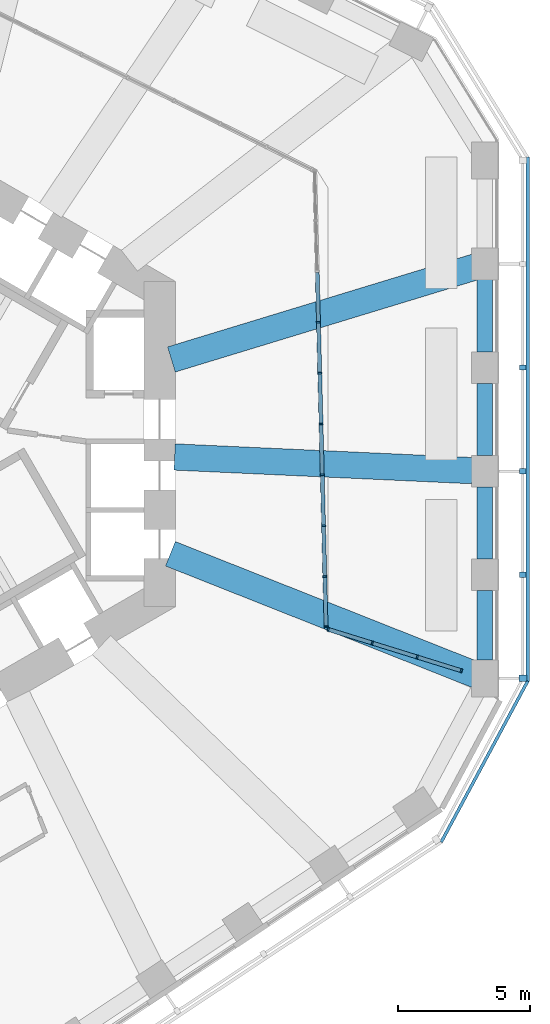
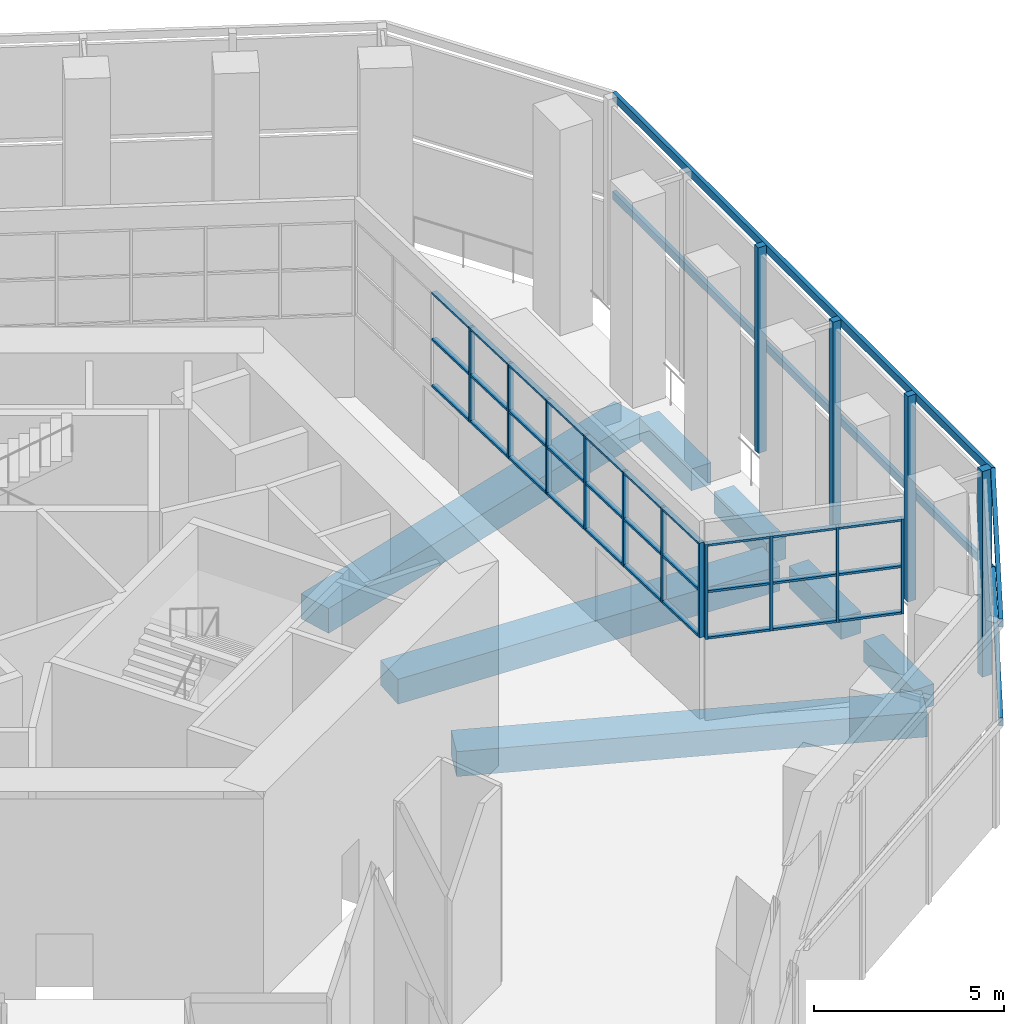
# One storey, part 2 of 17: 49 members, 7 beams, 4 elements without a shape of their own.
"""IFC4 building model written with IfcOpenShell, lengths in metres."""

from ifc_helpers import new_model, si_unit, direction, frame, origin, origin_2d, place, context, subcontext, project, spatial, rectangle, extrude, material, material_profile, profile_set, type_object, element, aggregate, save


model = new_model("IFC4")

# Units and contexts
model_context = context("Model", 3, precision=1e-05, world=origin(), true_north=direction((0.0, 1.0)))
body_context = subcontext(model_context, "Body", "Model", "MODEL_VIEW")
ifc_project = project(units=[si_unit("LENGTHUNIT", "METRE"), si_unit("AREAUNIT", "SQUARE_METRE"), si_unit("VOLUMEUNIT", "CUBIC_METRE"), si_unit("PLANEANGLEUNIT", "RADIAN"), si_unit("MASSUNIT", "GRAM", prefix="KILO")], contexts=[model_context])

# Site, building, storey
site_placement = place(None, origin())
site = spatial("IfcSite", under=ifc_project, at=site_placement, CompositionType="ELEMENT")
building_placement = place(site_placement, origin())
building = spatial("IfcBuilding", under=site, at=building_placement, Name="Vanh Sen Convention Tower", CompositionType="ELEMENT")
storey_placement = place(building_placement, frame((0.0, 0.0, 77.0)))
storey = spatial("IfcBuildingStorey", under=building, at=storey_placement, Name="L17", CompositionType="ELEMENT", Elevation=77.0)

# Curtain wall, members
ifc_material_1 = material(Name="Aluminium structural glazing system", Category="aluminium")
curtain_wall_type_1 = type_object("IfcCurtainWallType", Name="Sky garden structural glazing", PredefinedType="NOTDEFINED", material=ifc_material_1)
curtain_wall_1_placement = place(storey_placement, origin())
curtain_wall_1 = element("IfcCurtainWall", 1, at=curtain_wall_1_placement, inside=storey, type_object=curtain_wall_type_1, Name="Winter garden glazing 4 L17", PredefinedType="NOTDEFINED")
ifc_material_2 = material(Name="Aluminium mullion", Category="aluminium")
ifc_material_profile_1 = material_profile(ifc_material_2, rectangle(XDim=0.14990234375, YDim=0.070068359375, at=origin_2d()), Name="Garden glazing mullion 70 x 150")
ifc_profile_set_1 = profile_set([ifc_material_profile_1], Name="Aluminium mullion")
member_type_1 = type_object("IfcMemberType", Name="Garden glazing mullion 70 x 150", PredefinedType="MULLION", material=ifc_profile_set_1)
member_1_placement = place(storey_placement, frame((16.135498046875, 4.62841796875, 2.60009765625), z_axis=(0.0, 0.0, 1.0), x_axis=(0.999688152482, 0.024971939984, 0.0)))
member_1 = element("IfcMember", 2, at=member_1_placement, type_object=member_type_1, Name="CW5 mullion 4", PredefinedType="MULLION", context=body_context, shape_type="SweptSolid", body=[
    extrude(rectangle(XDim=0.14990234375, YDim=0.070068359375, at=origin_2d()), origin(), (0.0, 0.0, 1.0), 3.0498046875),
])
member_2_placement = place(storey_placement, frame((16.183837890625, 2.696044921875, 2.60009765625), z_axis=(0.0, 0.0, 1.0), x_axis=(0.999688152482, 0.024971939984, 0.0)))
member_2 = element("IfcMember", 3, at=member_2_placement, type_object=member_type_1, Name="CW5 mullion 5", PredefinedType="MULLION", context=body_context, shape_type="SweptSolid", body=[
    extrude(rectangle(XDim=0.14990234375, YDim=0.070068359375, at=origin_2d()), origin(), (0.0, 0.0, 1.0), 3.0498046875),
])
member_3_placement = place(storey_placement, frame((16.23193359375, 0.763916015625, 2.60009765625), z_axis=(0.0, 0.0, 1.0), x_axis=(0.999688152482, 0.024971939984, 0.0)))
member_3 = element("IfcMember", 4, at=member_3_placement, type_object=member_type_1, Name="CW5 mullion 6", PredefinedType="MULLION", context=body_context, shape_type="SweptSolid", body=[
    extrude(rectangle(XDim=0.14990234375, YDim=0.070068359375, at=origin_2d()), origin(), (0.0, 0.0, 1.0), 3.0498046875),
])
member_4_placement = place(storey_placement, frame((16.2802734375, -1.168212890625, 2.60009765625), z_axis=(0.0, 0.0, 1.0), x_axis=(0.999688152482, 0.024971939984, 0.0)))
member_4 = element("IfcMember", 5, at=member_4_placement, type_object=member_type_1, Name="CW5 mullion 7", PredefinedType="MULLION", context=body_context, shape_type="SweptSolid", body=[
    extrude(rectangle(XDim=0.14990234375, YDim=0.070068359375, at=origin_2d()), origin(), (0.0, 0.0, 1.0), 3.0498046875),
])
member_5_placement = place(storey_placement, frame((16.32861328125, -3.1005859375, 2.60009765625), z_axis=(0.0, 0.0, 1.0), x_axis=(0.999688152482, 0.024971939984, 0.0)))
member_5 = element("IfcMember", 6, at=member_5_placement, type_object=member_type_1, Name="CW5 mullion 8", PredefinedType="MULLION", context=body_context, shape_type="SweptSolid", body=[
    extrude(rectangle(XDim=0.14990234375, YDim=0.070068359375, at=origin_2d()), origin(), (0.0, 0.0, 1.0), 3.0498046875),
])
member_6_placement = place(storey_placement, frame((16.376953125, -5.03271484375, 2.60009765625), z_axis=(0.0, 0.0, 1.0), x_axis=(0.999688152482, 0.024971939984, 0.0)))
member_6 = element("IfcMember", 7, at=member_6_placement, type_object=member_type_1, Name="CW5 mullion 9", PredefinedType="MULLION", context=body_context, shape_type="SweptSolid", body=[
    extrude(rectangle(XDim=0.14990234375, YDim=0.070068359375, at=origin_2d()), origin(), (0.0, 0.0, 1.0), 3.0498046875),
])
member_7_placement = place(storey_placement, frame((16.42431640625, -6.929931640625, 2.60009765625), z_axis=(0.0, 0.0, 1.0), x_axis=(0.999688152482, 0.024971939984, 0.0)))
member_7 = element("IfcMember", 8, at=member_7_placement, type_object=member_type_1, Name="CW5 mullion 10", PredefinedType="MULLION", context=body_context, shape_type="SweptSolid", body=[
    extrude(rectangle(XDim=0.14990234375, YDim=0.070068359375, at=origin_2d()), origin(), (0.0, 0.0, 1.0), 3.0498046875),
])

curtain_wall_2_placement = place(storey_placement, origin())
curtain_wall_2 = element("IfcCurtainWall", 9, at=curtain_wall_2_placement, inside=storey, type_object=curtain_wall_type_1, Name="Winter garden glazing 5 L17", PredefinedType="NOTDEFINED")
member_8_placement = place(storey_placement, frame((16.50439453125, -7.03759765625, 2.60009765625), z_axis=(0.0, 0.0, 1.0), x_axis=(0.296776353808, 0.954947012049, 0.0)))
member_8 = element("IfcMember", 10, at=member_8_placement, type_object=member_type_1, Name="CW5 mullion 1", PredefinedType="MULLION", context=body_context, shape_type="SweptSolid", body=[
    extrude(rectangle(XDim=0.14990234375, YDim=0.070068359375, at=origin_2d()), origin(), (0.0, 0.0, 1.0), 3.0498046875),
])
member_9_placement = place(storey_placement, frame((18.177734375, -7.5576171875, 2.60009765625), z_axis=(0.0, 0.0, 1.0), x_axis=(0.296776353808, 0.954947012049, 0.0)))
member_9 = element("IfcMember", 11, at=member_9_placement, type_object=member_type_1, Name="CW5 mullion 2", PredefinedType="MULLION", context=body_context, shape_type="SweptSolid", body=[
    extrude(rectangle(XDim=0.14990234375, YDim=0.070068359375, at=origin_2d()), origin(), (0.0, 0.0, 1.0), 3.0498046875),
])
member_10_placement = place(storey_placement, frame((19.884765625, -8.088134765625, 2.60009765625), z_axis=(0.0, 0.0, 1.0), x_axis=(0.296776353808, 0.954947012049, 0.0)))
member_10 = element("IfcMember", 12, at=member_10_placement, type_object=member_type_1, Name="CW5 mullion 3", PredefinedType="MULLION", context=body_context, shape_type="SweptSolid", body=[
    extrude(rectangle(XDim=0.14990234375, YDim=0.070068359375, at=origin_2d()), origin(), (0.0, 0.0, 1.0), 3.0498046875),
])
member_11_placement = place(storey_placement, frame((21.55810546875, -8.608154296875, 2.60009765625), z_axis=(0.0, 0.0, 1.0), x_axis=(0.296776353808, 0.954947012049, 0.0)))
member_11 = element("IfcMember", 13, at=member_11_placement, type_object=member_type_1, Name="CW5 mullion 4", PredefinedType="MULLION", context=body_context, shape_type="SweptSolid", body=[
    extrude(rectangle(XDim=0.14990234375, YDim=0.070068359375, at=origin_2d()), origin(), (0.0, 0.0, 1.0), 3.0498046875),
])

# Member
ifc_material_3 = material(Name="Aluminium transom", Category="aluminium")
ifc_material_profile_2 = material_profile(ifc_material_3, rectangle(XDim=0.14990234375, YDim=0.070068359375, at=origin_2d()), Name="Garden glazing transom 150 x 70")
ifc_profile_set_2 = profile_set([ifc_material_profile_2], Name="Aluminium transom")
member_type_2 = type_object("IfcMemberType", Name="Garden glazing transom 150 x 70", PredefinedType="USERDEFINED", material=ifc_profile_set_2)
member_12_placement = place(storey_placement, frame((16.088134765625, 6.525634765625, 2.635009765625), z_axis=(0.024900509636, -0.99968993424, 0.0), x_axis=(0.99968993424, 0.024900509636, 0.0)))
member_12 = element("IfcMember", 14, at=member_12_placement, type_object=member_type_2, Name="CW5 transom 3.1", ObjectType="TRANSOM", PredefinedType="USERDEFINED", context=body_context, shape_type="SweptSolid", body=[
    extrude(rectangle(XDim=0.14990234375, YDim=0.070068359375, at=origin_2d()), origin(), (0.0, 0.0, 1.0), 1.86279296875),
])

member_13_placement = place(storey_placement, frame((16.088134765625, 6.525634765625, 4.125), z_axis=(0.024900509636, -0.99968993424, 0.0), x_axis=(0.99968993424, 0.024900509636, 0.0)))
member_13 = element("IfcMember", 15, at=member_13_placement, type_object=member_type_2, Name="CW5 transom 3.2", ObjectType="TRANSOM", PredefinedType="USERDEFINED", context=body_context, shape_type="SweptSolid", body=[
    extrude(rectangle(XDim=0.14990234375, YDim=0.070068359375, at=origin_2d()), origin(), (0.0, 0.0, 1.0), 1.86279296875),
])

member_14_placement = place(storey_placement, frame((16.088134765625, 6.525634765625, 5.614990234375), z_axis=(0.024900509636, -0.99968993424, 0.0), x_axis=(0.99968993424, 0.024900509636, 0.0)))
member_14 = element("IfcMember", 16, at=member_14_placement, type_object=member_type_2, Name="CW5 transom 3.3", ObjectType="TRANSOM", PredefinedType="USERDEFINED", context=body_context, shape_type="SweptSolid", body=[
    extrude(rectangle(XDim=0.14990234375, YDim=0.070068359375, at=origin_2d()), origin(), (0.0, 0.0, 1.0), 1.86279296875),
])

member_15_placement = place(storey_placement, frame((16.136474609375, 4.593505859375, 2.635009765625), z_axis=(0.024900509636, -0.99968993424, 0.0), x_axis=(0.99968993424, 0.024900509636, 0.0)))
member_15 = element("IfcMember", 17, at=member_15_placement, type_object=member_type_2, Name="CW5 transom 4.1", ObjectType="TRANSOM", PredefinedType="USERDEFINED", context=body_context, shape_type="SweptSolid", body=[
    extrude(rectangle(XDim=0.14990234375, YDim=0.070068359375, at=origin_2d()), origin(), (0.0, 0.0, 1.0), 1.86279296875),
])

member_16_placement = place(storey_placement, frame((16.136474609375, 4.593505859375, 4.125), z_axis=(0.024900509636, -0.99968993424, 0.0), x_axis=(0.99968993424, 0.024900509636, 0.0)))
member_16 = element("IfcMember", 18, at=member_16_placement, type_object=member_type_2, Name="CW5 transom 4.2", ObjectType="TRANSOM", PredefinedType="USERDEFINED", context=body_context, shape_type="SweptSolid", body=[
    extrude(rectangle(XDim=0.14990234375, YDim=0.070068359375, at=origin_2d()), origin(), (0.0, 0.0, 1.0), 1.86279296875),
])

member_17_placement = place(storey_placement, frame((16.136474609375, 4.593505859375, 5.614990234375), z_axis=(0.024900509636, -0.99968993424, 0.0), x_axis=(0.99968993424, 0.024900509636, 0.0)))
member_17 = element("IfcMember", 19, at=member_17_placement, type_object=member_type_2, Name="CW5 transom 4.3", ObjectType="TRANSOM", PredefinedType="USERDEFINED", context=body_context, shape_type="SweptSolid", body=[
    extrude(rectangle(XDim=0.14990234375, YDim=0.070068359375, at=origin_2d()), origin(), (0.0, 0.0, 1.0), 1.86279296875),
])

member_18_placement = place(storey_placement, frame((16.1845703125, 2.6611328125, 2.635009765625), z_axis=(0.025031483049, -0.999686663338, 0.0), x_axis=(0.999686663338, 0.025031483049, 0.0)))
member_18 = element("IfcMember", 20, at=member_18_placement, type_object=member_type_2, Name="CW5 transom 5.1", ObjectType="TRANSOM", PredefinedType="USERDEFINED", context=body_context, shape_type="SweptSolid", body=[
    extrude(rectangle(XDim=0.14990234375, YDim=0.070068359375, at=origin_2d()), origin(), (0.0, 0.0, 1.0), 1.86279296875),
])

member_19_placement = place(storey_placement, frame((16.1845703125, 2.6611328125, 4.125), z_axis=(0.025031483049, -0.999686663338, 0.0), x_axis=(0.999686663338, 0.025031483049, 0.0)))
member_19 = element("IfcMember", 21, at=member_19_placement, type_object=member_type_2, Name="CW5 transom 5.2", ObjectType="TRANSOM", PredefinedType="USERDEFINED", context=body_context, shape_type="SweptSolid", body=[
    extrude(rectangle(XDim=0.14990234375, YDim=0.070068359375, at=origin_2d()), origin(), (0.0, 0.0, 1.0), 1.86279296875),
])

member_20_placement = place(storey_placement, frame((16.1845703125, 2.6611328125, 5.614990234375), z_axis=(0.025031483049, -0.999686663338, 0.0), x_axis=(0.999686663338, 0.025031483049, 0.0)))
member_20 = element("IfcMember", 22, at=member_20_placement, type_object=member_type_2, Name="CW5 transom 5.3", ObjectType="TRANSOM", PredefinedType="USERDEFINED", context=body_context, shape_type="SweptSolid", body=[
    extrude(rectangle(XDim=0.14990234375, YDim=0.070068359375, at=origin_2d()), origin(), (0.0, 0.0, 1.0), 1.86279296875),
])

member_21_placement = place(storey_placement, frame((16.23291015625, 0.72900390625, 2.635009765625), z_axis=(0.025031483049, -0.999686663338, 0.0), x_axis=(0.999686663338, 0.025031483049, 0.0)))
member_21 = element("IfcMember", 23, at=member_21_placement, type_object=member_type_2, Name="CW5 transom 6.1", ObjectType="TRANSOM", PredefinedType="USERDEFINED", context=body_context, shape_type="SweptSolid", body=[
    extrude(rectangle(XDim=0.14990234375, YDim=0.070068359375, at=origin_2d()), origin(), (0.0, 0.0, 1.0), 1.86279296875),
])

member_22_placement = place(storey_placement, frame((16.23291015625, 0.72900390625, 4.125), z_axis=(0.025031483049, -0.999686663338, 0.0), x_axis=(0.999686663338, 0.025031483049, 0.0)))
member_22 = element("IfcMember", 24, at=member_22_placement, type_object=member_type_2, Name="CW5 transom 6.2", ObjectType="TRANSOM", PredefinedType="USERDEFINED", context=body_context, shape_type="SweptSolid", body=[
    extrude(rectangle(XDim=0.14990234375, YDim=0.070068359375, at=origin_2d()), origin(), (0.0, 0.0, 1.0), 1.86279296875),
])

member_23_placement = place(storey_placement, frame((16.23291015625, 0.72900390625, 5.614990234375), z_axis=(0.025031483049, -0.999686663338, 0.0), x_axis=(0.999686663338, 0.025031483049, 0.0)))
member_23 = element("IfcMember", 25, at=member_23_placement, type_object=member_type_2, Name="CW5 transom 6.3", ObjectType="TRANSOM", PredefinedType="USERDEFINED", context=body_context, shape_type="SweptSolid", body=[
    extrude(rectangle(XDim=0.14990234375, YDim=0.070068359375, at=origin_2d()), origin(), (0.0, 0.0, 1.0), 1.86279296875),
])

member_24_placement = place(storey_placement, frame((16.28125, -1.203369140625, 2.635009765625), z_axis=(0.024903772396, -0.999689852965, 0.0), x_axis=(0.999689852965, 0.024903772396, 0.0)))
member_24 = element("IfcMember", 26, at=member_24_placement, type_object=member_type_2, Name="CW5 transom 7.1", ObjectType="TRANSOM", PredefinedType="USERDEFINED", context=body_context, shape_type="SweptSolid", body=[
    extrude(rectangle(XDim=0.14990234375, YDim=0.070068359375, at=origin_2d()), origin(), (0.0, 0.0, 1.0), 1.862548828125),
])

member_25_placement = place(storey_placement, frame((16.28125, -1.203369140625, 4.125), z_axis=(0.024903772396, -0.999689852965, 0.0), x_axis=(0.999689852965, 0.024903772396, 0.0)))
member_25 = element("IfcMember", 27, at=member_25_placement, type_object=member_type_2, Name="CW5 transom 7.2", ObjectType="TRANSOM", PredefinedType="USERDEFINED", context=body_context, shape_type="SweptSolid", body=[
    extrude(rectangle(XDim=0.14990234375, YDim=0.070068359375, at=origin_2d()), origin(), (0.0, 0.0, 1.0), 1.862548828125),
])

member_26_placement = place(storey_placement, frame((16.28125, -1.203369140625, 5.614990234375), z_axis=(0.024903772396, -0.999689852965, 0.0), x_axis=(0.999689852965, 0.024903772396, 0.0)))
member_26 = element("IfcMember", 28, at=member_26_placement, type_object=member_type_2, Name="CW5 transom 7.3", ObjectType="TRANSOM", PredefinedType="USERDEFINED", context=body_context, shape_type="SweptSolid", body=[
    extrude(rectangle(XDim=0.14990234375, YDim=0.070068359375, at=origin_2d()), origin(), (0.0, 0.0, 1.0), 1.862548828125),
])

member_27_placement = place(storey_placement, frame((16.329345703125, -3.135498046875, 2.635009765625), z_axis=(0.025031483049, -0.999686663338, 0.0), x_axis=(0.999686663338, 0.025031483049, 0.0)))
member_27 = element("IfcMember", 29, at=member_27_placement, type_object=member_type_2, Name="CW5 transom 8.1", ObjectType="TRANSOM", PredefinedType="USERDEFINED", context=body_context, shape_type="SweptSolid", body=[
    extrude(rectangle(XDim=0.14990234375, YDim=0.070068359375, at=origin_2d()), origin(), (0.0, 0.0, 1.0), 1.86279296875),
])

member_28_placement = place(storey_placement, frame((16.329345703125, -3.135498046875, 4.125), z_axis=(0.025031483049, -0.999686663338, 0.0), x_axis=(0.999686663338, 0.025031483049, 0.0)))
member_28 = element("IfcMember", 30, at=member_28_placement, type_object=member_type_2, Name="CW5 transom 8.2", ObjectType="TRANSOM", PredefinedType="USERDEFINED", context=body_context, shape_type="SweptSolid", body=[
    extrude(rectangle(XDim=0.14990234375, YDim=0.070068359375, at=origin_2d()), origin(), (0.0, 0.0, 1.0), 1.86279296875),
])

member_29_placement = place(storey_placement, frame((16.329345703125, -3.135498046875, 5.614990234375), z_axis=(0.025031483049, -0.999686663338, 0.0), x_axis=(0.999686663338, 0.025031483049, 0.0)))
member_29 = element("IfcMember", 31, at=member_29_placement, type_object=member_type_2, Name="CW5 transom 8.3", ObjectType="TRANSOM", PredefinedType="USERDEFINED", context=body_context, shape_type="SweptSolid", body=[
    extrude(rectangle(XDim=0.14990234375, YDim=0.070068359375, at=origin_2d()), origin(), (0.0, 0.0, 1.0), 1.86279296875),
])

member_30_placement = place(storey_placement, frame((16.377685546875, -5.06787109375, 2.635009765625), z_axis=(0.024978841832, -0.999687980052, 0.0), x_axis=(0.999687980052, 0.024978841832, 0.0)))
member_30 = element("IfcMember", 32, at=member_30_placement, type_object=member_type_2, Name="CW5 transom 9.1", ObjectType="TRANSOM", PredefinedType="USERDEFINED", context=body_context, shape_type="SweptSolid", body=[
    extrude(rectangle(XDim=0.14990234375, YDim=0.070068359375, at=origin_2d()), origin(), (0.0, 0.0, 1.0), 1.82763671875),
])

member_31_placement = place(storey_placement, frame((16.377685546875, -5.06787109375, 4.125), z_axis=(0.024978841832, -0.999687980052, 0.0), x_axis=(0.999687980052, 0.024978841832, 0.0)))
member_31 = element("IfcMember", 33, at=member_31_placement, type_object=member_type_2, Name="CW5 transom 9.2", ObjectType="TRANSOM", PredefinedType="USERDEFINED", context=body_context, shape_type="SweptSolid", body=[
    extrude(rectangle(XDim=0.14990234375, YDim=0.070068359375, at=origin_2d()), origin(), (0.0, 0.0, 1.0), 1.82763671875),
])

member_32_placement = place(storey_placement, frame((16.377685546875, -5.06787109375, 5.614990234375), z_axis=(0.024978841832, -0.999687980052, 0.0), x_axis=(0.999687980052, 0.024978841832, 0.0)))
member_32 = element("IfcMember", 34, at=member_32_placement, type_object=member_type_2, Name="CW5 transom 9.3", ObjectType="TRANSOM", PredefinedType="USERDEFINED", context=body_context, shape_type="SweptSolid", body=[
    extrude(rectangle(XDim=0.14990234375, YDim=0.070068359375, at=origin_2d()), origin(), (0.0, 0.0, 1.0), 1.82763671875),
])

aggregate(curtain_wall_1, [member_1, member_2, member_3, member_4, member_5, member_6, member_7, member_12, member_13, member_14, member_15, member_16, member_17, member_18, member_19, member_20, member_21, member_22, member_23, member_24, member_25, member_26, member_27, member_28, member_29, member_30, member_31, member_32])

member_33_placement = place(storey_placement, frame((16.537841796875, -7.048095703125, 2.635009765625), z_axis=(0.954943642504, -0.296787195885, 0.0), x_axis=(0.296787195885, 0.954943642504, 0.0)))
member_33 = element("IfcMember", 35, at=member_33_placement, type_object=member_type_2, Name="CW5 transom 1.1", ObjectType="TRANSOM", PredefinedType="USERDEFINED", context=body_context, shape_type="SweptSolid", body=[
    extrude(rectangle(XDim=0.14990234375, YDim=0.070068359375, at=origin_2d()), origin(), (0.0, 0.0, 1.0), 1.68212890625),
])

member_34_placement = place(storey_placement, frame((16.537841796875, -7.048095703125, 4.125), z_axis=(0.954943642504, -0.296787195885, 0.0), x_axis=(0.296787195885, 0.954943642504, 0.0)))
member_34 = element("IfcMember", 36, at=member_34_placement, type_object=member_type_2, Name="CW5 transom 1.2", ObjectType="TRANSOM", PredefinedType="USERDEFINED", context=body_context, shape_type="SweptSolid", body=[
    extrude(rectangle(XDim=0.14990234375, YDim=0.070068359375, at=origin_2d()), origin(), (0.0, 0.0, 1.0), 1.68212890625),
])

member_35_placement = place(storey_placement, frame((16.537841796875, -7.048095703125, 5.614990234375), z_axis=(0.954943642504, -0.296787195885, 0.0), x_axis=(0.296787195885, 0.954943642504, 0.0)))
member_35 = element("IfcMember", 37, at=member_35_placement, type_object=member_type_2, Name="CW5 transom 1.3", ObjectType="TRANSOM", PredefinedType="USERDEFINED", context=body_context, shape_type="SweptSolid", body=[
    extrude(rectangle(XDim=0.14990234375, YDim=0.070068359375, at=origin_2d()), origin(), (0.0, 0.0, 1.0), 1.68212890625),
])

member_36_placement = place(storey_placement, frame((18.211181640625, -7.568115234375, 2.635009765625), z_axis=(0.954979454009, -0.296671944108, 0.0), x_axis=(0.296671944108, 0.954979454009, 0.0)))
member_36 = element("IfcMember", 38, at=member_36_placement, type_object=member_type_2, Name="CW5 transom 2.1", ObjectType="TRANSOM", PredefinedType="USERDEFINED", context=body_context, shape_type="SweptSolid", body=[
    extrude(rectangle(XDim=0.14990234375, YDim=0.070068359375, at=origin_2d()), origin(), (0.0, 0.0, 1.0), 1.717529296875),
])

member_37_placement = place(storey_placement, frame((18.211181640625, -7.568115234375, 4.125), z_axis=(0.954979454009, -0.296671944108, 0.0), x_axis=(0.296671944108, 0.954979454009, 0.0)))
member_37 = element("IfcMember", 39, at=member_37_placement, type_object=member_type_2, Name="CW5 transom 2.2", ObjectType="TRANSOM", PredefinedType="USERDEFINED", context=body_context, shape_type="SweptSolid", body=[
    extrude(rectangle(XDim=0.14990234375, YDim=0.070068359375, at=origin_2d()), origin(), (0.0, 0.0, 1.0), 1.717529296875),
])

member_38_placement = place(storey_placement, frame((18.211181640625, -7.568115234375, 5.614990234375), z_axis=(0.954979454009, -0.296671944108, 0.0), x_axis=(0.296671944108, 0.954979454009, 0.0)))
member_38 = element("IfcMember", 40, at=member_38_placement, type_object=member_type_2, Name="CW5 transom 2.3", ObjectType="TRANSOM", PredefinedType="USERDEFINED", context=body_context, shape_type="SweptSolid", body=[
    extrude(rectangle(XDim=0.14990234375, YDim=0.070068359375, at=origin_2d()), origin(), (0.0, 0.0, 1.0), 1.717529296875),
])

member_39_placement = place(storey_placement, frame((19.918212890625, -8.0986328125, 2.635009765625), z_axis=(0.954943642504, -0.296787195885, 0.0), x_axis=(0.296787195885, 0.954943642504, 0.0)))
member_39 = element("IfcMember", 41, at=member_39_placement, type_object=member_type_2, Name="CW5 transom 3.1", ObjectType="TRANSOM", PredefinedType="USERDEFINED", context=body_context, shape_type="SweptSolid", body=[
    extrude(rectangle(XDim=0.14990234375, YDim=0.070068359375, at=origin_2d()), origin(), (0.0, 0.0, 1.0), 1.68212890625),
])

member_40_placement = place(storey_placement, frame((19.918212890625, -8.0986328125, 4.125), z_axis=(0.954943642504, -0.296787195885, 0.0), x_axis=(0.296787195885, 0.954943642504, 0.0)))
member_40 = element("IfcMember", 42, at=member_40_placement, type_object=member_type_2, Name="CW5 transom 3.2", ObjectType="TRANSOM", PredefinedType="USERDEFINED", context=body_context, shape_type="SweptSolid", body=[
    extrude(rectangle(XDim=0.14990234375, YDim=0.070068359375, at=origin_2d()), origin(), (0.0, 0.0, 1.0), 1.68212890625),
])

member_41_placement = place(storey_placement, frame((19.918212890625, -8.0986328125, 5.614990234375), z_axis=(0.954943642504, -0.296787195885, 0.0), x_axis=(0.296787195885, 0.954943642504, 0.0)))
member_41 = element("IfcMember", 43, at=member_41_placement, type_object=member_type_2, Name="CW5 transom 3.3", ObjectType="TRANSOM", PredefinedType="USERDEFINED", context=body_context, shape_type="SweptSolid", body=[
    extrude(rectangle(XDim=0.14990234375, YDim=0.070068359375, at=origin_2d()), origin(), (0.0, 0.0, 1.0), 1.68212890625),
])

aggregate(curtain_wall_2, [member_8, member_9, member_10, member_11, member_33, member_34, member_35, member_36, member_37, member_38, member_39, member_40, member_41])

# Curtain wall, members
ifc_material_4 = material(Name="Concrete C50/60", Category="concrete")
curtain_wall_type_2 = type_object("IfcCurtainWallType", Name="Outer skin hotel zone", PredefinedType="NOTDEFINED", material=ifc_material_4)
curtain_wall_3_placement = place(storey_placement, origin())
curtain_wall_3 = element("IfcCurtainWall", 44, at=curtain_wall_3_placement, inside=storey, type_object=curtain_wall_type_2, Name="OUTER SKIN E L17", PredefinedType="NOTDEFINED")
ifc_material_profile_3 = material_profile(ifc_material_4, rectangle(XDim=0.25, YDim=0.300048828125, at=origin_2d()), Name="Outer skin precast corner fin 250 x 300")
ifc_profile_set_3 = profile_set([ifc_material_profile_3], Name="Concrete C50/60")
member_type_3 = type_object("IfcMemberType", Name="Outer skin precast corner fin 250 x 300", PredefinedType="MULLION", material=ifc_profile_set_3)
member_42_placement = place(storey_placement, frame((23.89990234375, -8.899169921875, 0.0), z_axis=(0.0, 0.0, 1.0), x_axis=(0.0, 1.0, 0.0)))
member_42 = element("IfcMember", 45, at=member_42_placement, type_object=member_type_3, Name="OUTER SKIN CORNER FIN 1 E L17", PredefinedType="MULLION", context=body_context, shape_type="SweptSolid", body=[
    extrude(rectangle(XDim=0.25, YDim=0.300048828125, at=origin_2d()), origin(), (0.0, 0.0, 1.0), 6.60009765625),
])
ifc_material_profile_4 = material_profile(ifc_material_4, rectangle(XDim=0.199951171875, YDim=0.25, at=origin_2d()), Name="Outer skin precast fin 200 x 250")
ifc_profile_set_4 = profile_set([ifc_material_profile_4], Name="Concrete C50/60")
member_type_4 = type_object("IfcMemberType", Name="Outer skin precast fin 200 x 250", PredefinedType="MULLION", material=ifc_profile_set_4)
member_43_placement = place(storey_placement, frame((23.89990234375, -4.964599609375, 0.0), z_axis=(0.0, 0.0, 1.0), x_axis=(0.0, 1.0, 0.0)))
member_43 = element("IfcMember", 46, at=member_43_placement, type_object=member_type_4, Name="OUTER SKIN fin 2 E L17", PredefinedType="MULLION", context=body_context, shape_type="SweptSolid", body=[
    extrude(rectangle(XDim=0.199951171875, YDim=0.25, at=origin_2d()), origin(), (0.0, 0.0, 1.0), 6.60009765625),
])
member_44_placement = place(storey_placement, frame((23.89990234375, -1.030029296875, 0.0), z_axis=(0.0, 0.0, 1.0), x_axis=(0.0, 1.0, 0.0)))
member_44 = element("IfcMember", 47, at=member_44_placement, type_object=member_type_4, Name="OUTER SKIN fin 3 E L17", PredefinedType="MULLION", context=body_context, shape_type="SweptSolid", body=[
    extrude(rectangle(XDim=0.199951171875, YDim=0.25, at=origin_2d()), origin(), (0.0, 0.0, 1.0), 6.60009765625),
])
member_45_placement = place(storey_placement, frame((23.89990234375, 2.904541015625, 0.0), z_axis=(0.0, 0.0, 1.0), x_axis=(0.0, 1.0, 0.0)))
member_45 = element("IfcMember", 48, at=member_45_placement, type_object=member_type_4, Name="OUTER SKIN fin 4 E L17", PredefinedType="MULLION", context=body_context, shape_type="SweptSolid", body=[
    extrude(rectangle(XDim=0.199951171875, YDim=0.25, at=origin_2d()), origin(), (0.0, 0.0, 1.0), 6.60009765625),
])
ifc_material_profile_5 = material_profile(ifc_material_4, rectangle(XDim=0.1201171875, YDim=0.25, at=origin_2d()), Name="Outer skin precast spandrel band 250 x 120")
ifc_profile_set_5 = profile_set([ifc_material_profile_5], Name="Concrete C50/60")
member_type_5 = type_object("IfcMemberType", Name="Outer skin precast spandrel band 250 x 120", PredefinedType="USERDEFINED", material=ifc_profile_set_5)
member_46_placement = place(storey_placement, frame((24.0849609375, -9.024169921875, 6.47509765625), z_axis=(0.0, 1.0, 0.0), x_axis=(-1.0, 0.0, 0.0)))
member_46 = element("IfcMember", 49, at=member_46_placement, type_object=member_type_5, Name="OUTER SKIN spandrel band E L17", ObjectType="TRANSOM", PredefinedType="USERDEFINED", context=body_context, shape_type="SweptSolid", body=[
    extrude(rectangle(XDim=0.1201171875, YDim=0.25, at=origin_2d()), origin(), (0.0, 0.0, 1.0), 19.9228515625),
])
member_47_placement = place(storey_placement, frame((24.0849609375, -9.024169921875, 3.300048828125), z_axis=(0.0, 1.0, 0.0), x_axis=(-1.0, 0.0, 0.0)))
member_47 = element("IfcMember", 50, at=member_47_placement, type_object=member_type_5, Name="OUTER SKIN spandrel band E L17 mid", ObjectType="TRANSOM", PredefinedType="USERDEFINED", context=body_context, shape_type="SweptSolid", body=[
    extrude(rectangle(XDim=0.1201171875, YDim=0.25, at=origin_2d()), origin(), (0.0, 0.0, 1.0), 19.9228515625),
])
aggregate(curtain_wall_3, [member_42, member_43, member_44, member_45, member_46, member_47])

curtain_wall_4_placement = place(storey_placement, origin())
curtain_wall_4 = element("IfcCurtainWall", 51, at=curtain_wall_4_placement, inside=storey, type_object=curtain_wall_type_2, Name="OUTER SKIN CH6 L17", PredefinedType="NOTDEFINED")
member_48_placement = place(storey_placement, frame((20.797119140625, -15.117431640625, 6.47509765625), z_axis=(0.473324148816, 0.880888330123, 0.0), x_axis=(-0.880888330123, 0.473324148816, 0.0)))
member_48 = element("IfcMember", 52, at=member_48_placement, type_object=member_type_5, Name="OUTER SKIN spandrel band CH6 L17", ObjectType="TRANSOM", PredefinedType="USERDEFINED", context=body_context, shape_type="SweptSolid", body=[
    extrude(rectangle(XDim=0.1201171875, YDim=0.25, at=origin_2d()), origin(), (0.0, 0.0, 1.0), 6.9462890625),
])
member_49_placement = place(storey_placement, frame((20.797119140625, -15.117431640625, 3.300048828125), z_axis=(0.473324148816, 0.880888330123, 0.0), x_axis=(-0.880888330123, 0.473324148816, 0.0)))
member_49 = element("IfcMember", 53, at=member_49_placement, type_object=member_type_5, Name="OUTER SKIN spandrel band CH6 L17 mid", ObjectType="TRANSOM", PredefinedType="USERDEFINED", context=body_context, shape_type="SweptSolid", body=[
    extrude(rectangle(XDim=0.1201171875, YDim=0.25, at=origin_2d()), origin(), (0.0, 0.0, 1.0), 6.9462890625),
])
aggregate(curtain_wall_4, [member_48, member_49])

# Beams
ifc_material_5 = material(Name="Concrete C50/60", Category="concrete")
ifc_material_profile_6 = material_profile(ifc_material_5, rectangle(XDim=1.0, YDim=0.800048828125, at=origin_2d()), Name="RC 1000X800")
ifc_profile_set_6 = profile_set([ifc_material_profile_6], Name="Concrete C50/60")
beam_type_1 = type_object("IfcBeamType", Name="Radial floor beam 1000 x 800", PredefinedType="BEAM", material=ifc_profile_set_6)
beam_1_placement = place(storey_placement, frame((22.138916015625, -8.77587890625, -0.75), z_axis=(-0.929624483463, 0.368508235655, 0.0), x_axis=(-0.368508235655, -0.929624483463, 0.0)))
element("IfcBeam", 54, at=beam_1_placement, inside=storey, type_object=beam_type_1, Name="Radial beam 01 L17", PredefinedType="BEAM", context=body_context, shape_type="SweptSolid", body=[
    extrude(rectangle(XDim=1.0, YDim=0.800048828125, at=origin_2d()), origin(), (0.0, 0.0, 1.0), 12.50830078125),
])
beam_2_placement = place(storey_placement, frame((21.977783203125, -1.00830078125, -0.75), z_axis=(-0.998949774884, 0.045818634401, 0.0), x_axis=(-0.045818634401, -0.998949774884, 0.0)))
element("IfcBeam", 55, at=beam_2_placement, inside=storey, type_object=beam_type_1, Name="Radial beam 02 L17", PredefinedType="BEAM", context=body_context, shape_type="SweptSolid", body=[
    extrude(rectangle(XDim=1.0, YDim=0.800048828125, at=origin_2d()), origin(), (0.0, 0.0, 1.0), 11.317626953125),
])
beam_3_placement = place(storey_placement, frame((22.1005859375, 6.732666015625, -0.75), z_axis=(-0.95659843119, -0.291409405211, 0.0), x_axis=(0.291409405211, -0.95659843119, 0.0)))
element("IfcBeam", 56, at=beam_3_placement, inside=storey, type_object=beam_type_1, Name="Radial beam 03 L17", PredefinedType="BEAM", context=body_context, shape_type="SweptSolid", body=[
    extrude(rectangle(XDim=1.0, YDim=0.800048828125, at=origin_2d()), origin(), (0.0, 0.0, 1.0), 12.0751953125),
])
ifc_material_profile_7 = material_profile(ifc_material_5, rectangle(XDim=0.60009765625, YDim=0.699951171875, at=origin_2d()), Name="RC 600X700")
ifc_profile_set_7 = profile_set([ifc_material_profile_7], Name="Concrete C50/60")
beam_type_2 = type_object("IfcBeamType", Name="Spandrel beam 600 x 700", PredefinedType="SPANDREL", material=ifc_profile_set_7)
beam_4_placement = place(storey_placement, frame((22.449951171875, -8.2041015625, -0.699951171875), z_axis=(0.0, 1.0, 0.0), x_axis=(-1.0, 0.0, 0.0)))
element("IfcBeam", 57, at=beam_4_placement, inside=storey, type_object=beam_type_2, Name="Spandrel beam 01 L17", PredefinedType="SPANDREL", context=body_context, shape_type="SweptSolid", body=[
    extrude(rectangle(XDim=0.60009765625, YDim=0.699951171875, at=origin_2d()), origin(), (0.0, 0.0, 1.0), 2.64453125),
])
for number, where, z_axis, x_axis, name in (
    (58, (22.449951171875, -4.36962890625, -0.699951171875), (0.0, 1.0, 0.0), (-1.0, 0.0, 0.0), "Spandrel beam 02 L17"),
    (59, (22.449951171875, -0.43505859375, -0.699951171875), (0.0, 1.0, 0.0), (-1.0, 0.0, 0.0), "Spandrel beam 03 L17"),
    (60, (22.449951171875, 3.49951171875, -0.699951171875), (0.0, 1.0, 0.0), (-1.0, 0.0, 0.0), "Spandrel beam 04 L17"),
):
    element("IfcBeam", number, at=place(storey_placement, frame(where, z_axis=z_axis, x_axis=x_axis)), inside=storey, type_object=beam_type_2, Name=name, PredefinedType="SPANDREL", context=body_context, shape_type="SweptSolid", body=[
        extrude(rectangle(XDim=0.60009765625, YDim=0.699951171875, at=origin_2d()), origin(), (0.0, 0.0, 1.0), 2.74462890625),
    ])

save(model, "model.ifc")
